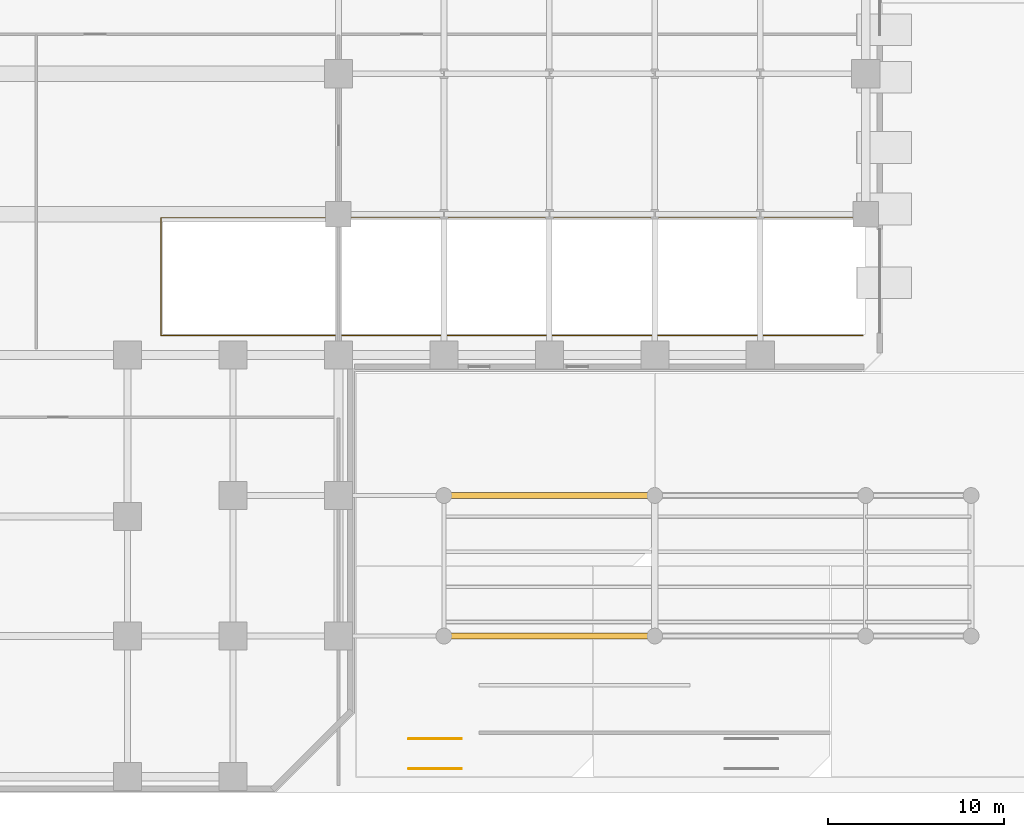
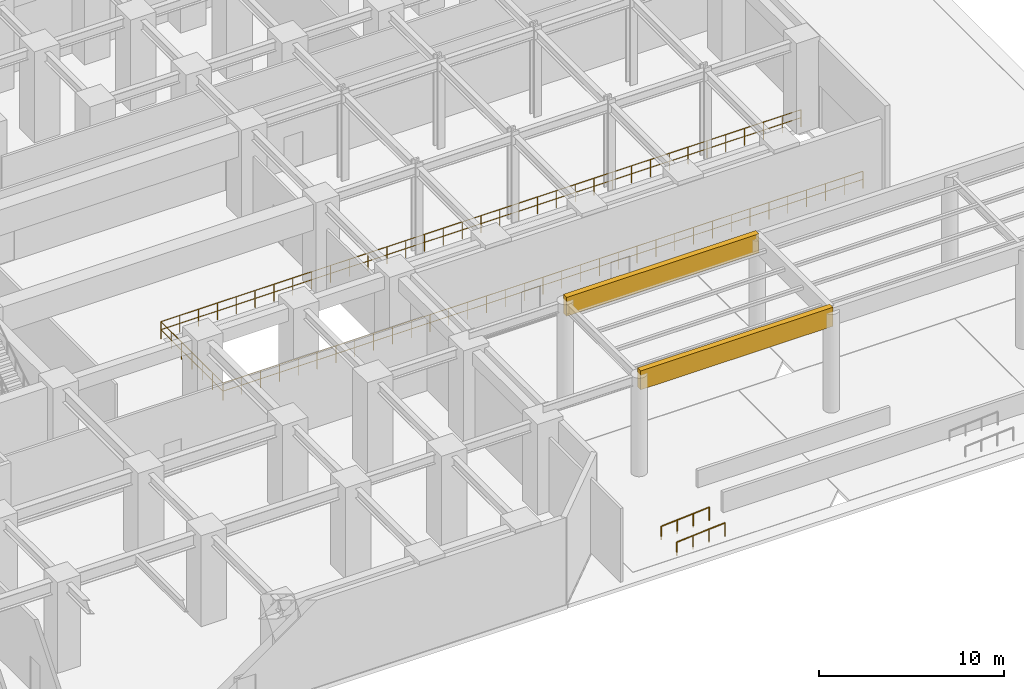
# One storey, part 10 of 13: 3 railings, 2 coverings.
"""IFC4 building model written with IfcOpenShell, lengths in metres."""

from ifc_helpers import new_model, si_unit, direction, frame, origin, origin_2d, place, context, subcontext, project, spatial, rectangle, circle, extrude, source, transform, mapped, material, layer, layer_set, type_object, element, save


model = new_model("IFC4")

# Units and contexts
model_context = context("Model", 3, precision=1e-05, world=origin(), true_north=direction((0.0, 1.0)))
body_context = subcontext(model_context, "Body", "Model", "MODEL_VIEW")
ifc_project = project(units=[si_unit("LENGTHUNIT", "METRE"), si_unit("AREAUNIT", "SQUARE_METRE"), si_unit("VOLUMEUNIT", "CUBIC_METRE"), si_unit("PLANEANGLEUNIT", "RADIAN"), si_unit("MASSUNIT", "GRAM", prefix="KILO")], contexts=[model_context])

# Site, building, storey
site_placement = place(None, origin())
site = spatial("IfcSite", under=ifc_project, at=site_placement, CompositionType="ELEMENT")
building_placement = place(site_placement, origin())
building = spatial("IfcBuilding", under=site, at=building_placement, Name="Torre Montelarca", CompositionType="ELEMENT")
storey_placement = place(building_placement, origin())
storey = spatial("IfcBuildingStorey", under=building, at=storey_placement, Name="L01", CompositionType="ELEMENT", Elevation=0.0)

# Railings
ifc_material_1 = material(Name="Brushed stainless steel AISI 316", Category="steel")
railing_type_1 = type_object("IfcRailingType", Name="RL-EXT-HANDRAIL-900", PredefinedType="HANDRAIL", material=ifc_material_1)
for number, where, name in (
    (1, (52.0, 0.449951171875, -0.219970703125), "Accessible Plaza Ramp Handrail 01"),
    (2, (52.0, 2.14990234375, -0.219970703125), "Accessible Plaza Ramp Handrail 02"),
):
    element("IfcRailing", number, at=place(storey_placement, frame(where)), inside=storey, type_object=railing_type_1, Name=name, PredefinedType="HANDRAIL", context=body_context, shape_type="SweptSolid", body=[
        extrude(circle(Radius=0.02392578125, at=origin_2d()), frame((0.0, 0.0, 0.8759765625), z_axis=(0.997322618282, 0.0, 0.073127252529), x_axis=(0.0, 1.0, 0.0)), (0.0, 0.0, 1.0), 3.008056640625),
        extrude(circle(Radius=0.02099609375, at=origin_2d()), origin(), (0.0, 0.0, 1.0), 0.851806640625),
        extrude(circle(Radius=0.02099609375, at=origin_2d()), frame((1.0, 0.0, 0.0732421875)), (0.0, 0.0, 1.0), 0.851806640625),
        extrude(circle(Radius=0.02099609375, at=origin_2d()), frame((2.0, 0.0, 0.146728515625)), (0.0, 0.0, 1.0), 0.851806640625),
        extrude(circle(Radius=0.02099609375, at=origin_2d()), frame((3.0, 0.0, 0.219970703125)), (0.0, 0.0, 1.0), 0.851806640625),
    ])
ifc_material_2 = material(Name="Stainless steel AISI 316 and laminated glass", Category="steel")
railing_type_2 = type_object("IfcRailingType", Name="RL-INT-GUARD-1150", PredefinedType="BALUSTRADE", material=ifc_material_2)
railing_placement = place(storey_placement, frame((77.85009765625, 31.800048828125, 0.0)))
element("IfcRailing", 3, at=railing_placement, inside=storey, type_object=railing_type_2, Name="L01 Vehicle Ramp Well Perimeter Guard", PredefinedType="BALUSTRADE", context=body_context, shape_type="SweptSolid", body=[
    extrude(circle(Radius=0.02392578125, at=origin_2d()), frame((0.0, 0.0, 1.1259765625), z_axis=(-1.0, 0.0, 0.0), x_axis=(0.0, -1.0, 0.0)), (0.0, 0.0, 1.0), 39.9501953125),
    extrude(circle(Radius=0.02099609375, at=origin_2d()), frame((0.0, 0.0, 0.597900390625), z_axis=(-1.0, 0.0, 0.0), x_axis=(0.0, -1.0, 0.0)), (0.0, 0.0, 1.0), 39.9501953125),
    extrude(circle(Radius=0.02392578125, at=origin_2d()), frame((-39.9501953125, 0.0, 1.1259765625), z_axis=(0.0, -1.0, 0.0), x_axis=(1.0, 0.0, 0.0)), (0.0, 0.0, 1.0), 6.699951171875),
    extrude(circle(Radius=0.02099609375, at=origin_2d()), frame((-39.9501953125, 0.0, 0.597900390625), z_axis=(0.0, -1.0, 0.0), x_axis=(1.0, 0.0, 0.0)), (0.0, 0.0, 1.0), 6.699951171875),
    extrude(circle(Radius=0.02392578125, at=origin_2d()), frame((-39.9501953125, -6.699951171875, 1.1259765625), z_axis=(1.0, 0.0, 0.0), x_axis=(0.0, 1.0, 0.0)), (0.0, 0.0, 1.0), 39.9501953125),
    extrude(circle(Radius=0.02099609375, at=origin_2d()), frame((-39.9501953125, -6.699951171875, 0.597900390625), z_axis=(1.0, 0.0, 0.0), x_axis=(0.0, 1.0, 0.0)), (0.0, 0.0, 1.0), 39.9501953125),
    extrude(circle(Radius=0.02099609375, at=origin_2d()), origin(), (0.0, 0.0, 1.0), 1.101806640625),
    extrude(circle(Radius=0.02099609375, at=origin_2d()), frame((-1.175048828125, 0.0, 0.0)), (0.0, 0.0, 1.0), 1.101806640625),
    extrude(circle(Radius=0.02099609375, at=origin_2d()), frame((-2.35009765625, 0.0, 0.0)), (0.0, 0.0, 1.0), 1.101806640625),
    extrude(circle(Radius=0.02099609375, at=origin_2d()), frame((-3.52490234375, 0.0, 0.0)), (0.0, 0.0, 1.0), 1.101806640625),
    extrude(circle(Radius=0.02099609375, at=origin_2d()), frame((-4.699951171875, 0.0, 0.0)), (0.0, 0.0, 1.0), 1.101806640625),
    extrude(circle(Radius=0.02099609375, at=origin_2d()), frame((-5.875, 0.0, 0.0)), (0.0, 0.0, 1.0), 1.101806640625),
    extrude(circle(Radius=0.02099609375, at=origin_2d()), frame((-7.050048828125, 0.0, 0.0)), (0.0, 0.0, 1.0), 1.101806640625),
    extrude(circle(Radius=0.02099609375, at=origin_2d()), frame((-8.22509765625, 0.0, 0.0)), (0.0, 0.0, 1.0), 1.101806640625),
    extrude(circle(Radius=0.02099609375, at=origin_2d()), frame((-9.400146484375, 0.0, 0.0)), (0.0, 0.0, 1.0), 1.101806640625),
    extrude(circle(Radius=0.02099609375, at=origin_2d()), frame((-10.574951171875, 0.0, 0.0)), (0.0, 0.0, 1.0), 1.101806640625),
    extrude(circle(Radius=0.02099609375, at=origin_2d()), frame((-11.75, 0.0, 0.0)), (0.0, 0.0, 1.0), 1.101806640625),
    extrude(circle(Radius=0.02099609375, at=origin_2d()), frame((-12.925048828125, 0.0, 0.0)), (0.0, 0.0, 1.0), 1.101806640625),
    extrude(circle(Radius=0.02099609375, at=origin_2d()), frame((-14.10009765625, 0.0, 0.0)), (0.0, 0.0, 1.0), 1.101806640625),
    extrude(circle(Radius=0.02099609375, at=origin_2d()), frame((-15.275146484375, 0.0, 0.0)), (0.0, 0.0, 1.0), 1.101806640625),
    extrude(circle(Radius=0.02099609375, at=origin_2d()), frame((-16.4501953125, 0.0, 0.0)), (0.0, 0.0, 1.0), 1.101806640625),
    extrude(circle(Radius=0.02099609375, at=origin_2d()), frame((-17.625, 0.0, 0.0)), (0.0, 0.0, 1.0), 1.101806640625),
    extrude(circle(Radius=0.02099609375, at=origin_2d()), frame((-18.800048828125, 0.0, 0.0)), (0.0, 0.0, 1.0), 1.101806640625),
    extrude(circle(Radius=0.02099609375, at=origin_2d()), frame((-19.97509765625, 0.0, 0.0)), (0.0, 0.0, 1.0), 1.101806640625),
    extrude(circle(Radius=0.02099609375, at=origin_2d()), frame((-21.150146484375, 0.0, 0.0)), (0.0, 0.0, 1.0), 1.101806640625),
    extrude(circle(Radius=0.02099609375, at=origin_2d()), frame((-22.3251953125, 0.0, 0.0)), (0.0, 0.0, 1.0), 1.101806640625),
    extrude(circle(Radius=0.02099609375, at=origin_2d()), frame((-23.5, 0.0, 0.0)), (0.0, 0.0, 1.0), 1.101806640625),
    extrude(circle(Radius=0.02099609375, at=origin_2d()), frame((-24.675048828125, 0.0, 0.0)), (0.0, 0.0, 1.0), 1.101806640625),
    extrude(circle(Radius=0.02099609375, at=origin_2d()), frame((-25.85009765625, 0.0, 0.0)), (0.0, 0.0, 1.0), 1.101806640625),
    extrude(circle(Radius=0.02099609375, at=origin_2d()), frame((-27.025146484375, 0.0, 0.0)), (0.0, 0.0, 1.0), 1.101806640625),
    extrude(circle(Radius=0.02099609375, at=origin_2d()), frame((-28.2001953125, 0.0, 0.0)), (0.0, 0.0, 1.0), 1.101806640625),
    extrude(circle(Radius=0.02099609375, at=origin_2d()), frame((-29.375244140625, 0.0, 0.0)), (0.0, 0.0, 1.0), 1.101806640625),
    extrude(circle(Radius=0.02099609375, at=origin_2d()), frame((-30.550048828125, 0.0, 0.0)), (0.0, 0.0, 1.0), 1.101806640625),
    extrude(circle(Radius=0.02099609375, at=origin_2d()), frame((-31.72509765625, 0.0, 0.0)), (0.0, 0.0, 1.0), 1.101806640625),
    extrude(circle(Radius=0.02099609375, at=origin_2d()), frame((-32.900146484375, 0.0, 0.0)), (0.0, 0.0, 1.0), 1.101806640625),
    extrude(circle(Radius=0.02099609375, at=origin_2d()), frame((-34.0751953125, 0.0, 0.0)), (0.0, 0.0, 1.0), 1.101806640625),
    extrude(circle(Radius=0.02099609375, at=origin_2d()), frame((-35.250244140625, 0.0, 0.0)), (0.0, 0.0, 1.0), 1.101806640625),
    extrude(circle(Radius=0.02099609375, at=origin_2d()), frame((-36.42529296875, 0.0, 0.0)), (0.0, 0.0, 1.0), 1.101806640625),
    extrude(circle(Radius=0.02099609375, at=origin_2d()), frame((-37.60009765625, 0.0, 0.0)), (0.0, 0.0, 1.0), 1.101806640625),
    extrude(circle(Radius=0.02099609375, at=origin_2d()), frame((-38.775146484375, 0.0, 0.0)), (0.0, 0.0, 1.0), 1.101806640625),
    extrude(circle(Radius=0.02099609375, at=origin_2d()), frame((-39.9501953125, 0.0, 0.0)), (0.0, 0.0, 1.0), 1.101806640625),
    extrude(circle(Radius=0.02099609375, at=origin_2d()), frame((-39.9501953125, -1.11669921875, 0.0)), (0.0, 0.0, 1.0), 1.101806640625),
    extrude(circle(Radius=0.02099609375, at=origin_2d()), frame((-39.9501953125, -2.2333984375, 0.0)), (0.0, 0.0, 1.0), 1.101806640625),
    extrude(circle(Radius=0.02099609375, at=origin_2d()), frame((-39.9501953125, -3.35009765625, 0.0)), (0.0, 0.0, 1.0), 1.101806640625),
    extrude(circle(Radius=0.02099609375, at=origin_2d()), frame((-39.9501953125, -4.466552734375, 0.0)), (0.0, 0.0, 1.0), 1.101806640625),
    extrude(circle(Radius=0.02099609375, at=origin_2d()), frame((-39.9501953125, -5.583251953125, 0.0)), (0.0, 0.0, 1.0), 1.101806640625),
    extrude(circle(Radius=0.02099609375, at=origin_2d()), frame((-39.9501953125, -6.699951171875, 0.0)), (0.0, 0.0, 1.0), 1.101806640625),
    extrude(circle(Radius=0.02099609375, at=origin_2d()), frame((-38.775146484375, -6.699951171875, 0.0)), (0.0, 0.0, 1.0), 1.101806640625),
    extrude(circle(Radius=0.02099609375, at=origin_2d()), frame((-37.60009765625, -6.699951171875, 0.0)), (0.0, 0.0, 1.0), 1.101806640625),
    extrude(circle(Radius=0.02099609375, at=origin_2d()), frame((-36.42529296875, -6.699951171875, 0.0)), (0.0, 0.0, 1.0), 1.101806640625),
    extrude(circle(Radius=0.02099609375, at=origin_2d()), frame((-35.250244140625, -6.699951171875, 0.0)), (0.0, 0.0, 1.0), 1.101806640625),
    extrude(circle(Radius=0.02099609375, at=origin_2d()), frame((-34.0751953125, -6.699951171875, 0.0)), (0.0, 0.0, 1.0), 1.101806640625),
    extrude(circle(Radius=0.02099609375, at=origin_2d()), frame((-32.900146484375, -6.699951171875, 0.0)), (0.0, 0.0, 1.0), 1.101806640625),
    extrude(circle(Radius=0.02099609375, at=origin_2d()), frame((-31.72509765625, -6.699951171875, 0.0)), (0.0, 0.0, 1.0), 1.101806640625),
    extrude(circle(Radius=0.02099609375, at=origin_2d()), frame((-30.550048828125, -6.699951171875, 0.0)), (0.0, 0.0, 1.0), 1.101806640625),
    extrude(circle(Radius=0.02099609375, at=origin_2d()), frame((-29.375244140625, -6.699951171875, 0.0)), (0.0, 0.0, 1.0), 1.101806640625),
    extrude(circle(Radius=0.02099609375, at=origin_2d()), frame((-28.2001953125, -6.699951171875, 0.0)), (0.0, 0.0, 1.0), 1.101806640625),
    extrude(circle(Radius=0.02099609375, at=origin_2d()), frame((-27.025146484375, -6.699951171875, 0.0)), (0.0, 0.0, 1.0), 1.101806640625),
    extrude(circle(Radius=0.02099609375, at=origin_2d()), frame((-25.85009765625, -6.699951171875, 0.0)), (0.0, 0.0, 1.0), 1.101806640625),
    extrude(circle(Radius=0.02099609375, at=origin_2d()), frame((-24.675048828125, -6.699951171875, 0.0)), (0.0, 0.0, 1.0), 1.101806640625),
    extrude(circle(Radius=0.02099609375, at=origin_2d()), frame((-23.5, -6.699951171875, 0.0)), (0.0, 0.0, 1.0), 1.101806640625),
    extrude(circle(Radius=0.02099609375, at=origin_2d()), frame((-22.3251953125, -6.699951171875, 0.0)), (0.0, 0.0, 1.0), 1.101806640625),
    extrude(circle(Radius=0.02099609375, at=origin_2d()), frame((-21.150146484375, -6.699951171875, 0.0)), (0.0, 0.0, 1.0), 1.101806640625),
    extrude(circle(Radius=0.02099609375, at=origin_2d()), frame((-19.97509765625, -6.699951171875, 0.0)), (0.0, 0.0, 1.0), 1.101806640625),
    extrude(circle(Radius=0.02099609375, at=origin_2d()), frame((-18.800048828125, -6.699951171875, 0.0)), (0.0, 0.0, 1.0), 1.101806640625),
    extrude(circle(Radius=0.02099609375, at=origin_2d()), frame((-17.625, -6.699951171875, 0.0)), (0.0, 0.0, 1.0), 1.101806640625),
    extrude(circle(Radius=0.02099609375, at=origin_2d()), frame((-16.4501953125, -6.699951171875, 0.0)), (0.0, 0.0, 1.0), 1.101806640625),
    extrude(circle(Radius=0.02099609375, at=origin_2d()), frame((-15.275146484375, -6.699951171875, 0.0)), (0.0, 0.0, 1.0), 1.101806640625),
    extrude(circle(Radius=0.02099609375, at=origin_2d()), frame((-14.10009765625, -6.699951171875, 0.0)), (0.0, 0.0, 1.0), 1.101806640625),
    extrude(circle(Radius=0.02099609375, at=origin_2d()), frame((-12.925048828125, -6.699951171875, 0.0)), (0.0, 0.0, 1.0), 1.101806640625),
    extrude(circle(Radius=0.02099609375, at=origin_2d()), frame((-11.75, -6.699951171875, 0.0)), (0.0, 0.0, 1.0), 1.101806640625),
    extrude(circle(Radius=0.02099609375, at=origin_2d()), frame((-10.574951171875, -6.699951171875, 0.0)), (0.0, 0.0, 1.0), 1.101806640625),
    extrude(circle(Radius=0.02099609375, at=origin_2d()), frame((-9.400146484375, -6.699951171875, 0.0)), (0.0, 0.0, 1.0), 1.101806640625),
    extrude(circle(Radius=0.02099609375, at=origin_2d()), frame((-8.22509765625, -6.699951171875, 0.0)), (0.0, 0.0, 1.0), 1.101806640625),
    extrude(circle(Radius=0.02099609375, at=origin_2d()), frame((-7.050048828125, -6.699951171875, 0.0)), (0.0, 0.0, 1.0), 1.101806640625),
    extrude(circle(Radius=0.02099609375, at=origin_2d()), frame((-5.875, -6.699951171875, 0.0)), (0.0, 0.0, 1.0), 1.101806640625),
    extrude(circle(Radius=0.02099609375, at=origin_2d()), frame((-4.699951171875, -6.699951171875, 0.0)), (0.0, 0.0, 1.0), 1.101806640625),
    extrude(circle(Radius=0.02099609375, at=origin_2d()), frame((-3.52490234375, -6.699951171875, 0.0)), (0.0, 0.0, 1.0), 1.101806640625),
    extrude(circle(Radius=0.02099609375, at=origin_2d()), frame((-2.35009765625, -6.699951171875, 0.0)), (0.0, 0.0, 1.0), 1.101806640625),
    extrude(circle(Radius=0.02099609375, at=origin_2d()), frame((-1.175048828125, -6.699951171875, 0.0)), (0.0, 0.0, 1.0), 1.101806640625),
    extrude(circle(Radius=0.02099609375, at=origin_2d()), frame((0.0, -6.699951171875, 0.0)), (0.0, 0.0, 1.0), 1.101806640625),
])

# Coverings
ifc_material_3 = material(Name="Bush-hammered warm white precast concrete C45/55", Category="concrete")
ifc_layer = layer(ifc_material_3, 0.139892578125, Name="Bush-hammered warm white precast concrete C45/55", Category="concrete")
ifc_layer_set = layer_set([ifc_layer], Name="Bush-hammered warm white precast concrete C45/55")
covering_type = type_object("IfcCoveringType", Name="COV-TRAY-CLAD", PredefinedType="CLADDING", material=ifc_layer_set)
shared_shape = source(origin(), body_context, "Body", "SweptSolid", [
    extrude(rectangle(XDim=12.0, YDim=0.35009765625, at=origin_2d()), origin(), (0.0, 0.0, 1.0), 1.25),
])
for number, where, z_axis, x_axis, name in (
    (4, (60.0, 8.0, 5.52490234375), (0.0, 0.0, 1.0), (1.0, 0.0, 0.0), "L01 Monumental Plaza Portal Frieze IN-S"),
    (5, (60.0, 16.0, 5.52490234375), (0.0, 0.0, 1.0), (1.0, 0.0, 0.0), "L01 Monumental Plaza Portal Frieze IN-N"),
):
    element("IfcCovering", number, at=place(storey_placement, frame(where, z_axis=z_axis, x_axis=x_axis)), inside=storey, type_object=covering_type, Name=name, PredefinedType="CLADDING", context=body_context, shape_type="MappedRepresentation", body=[
        mapped(shared_shape, transform((0.0, 0.0, 0.0), scale=1.0)),
    ])

save(model, "model.ifc")
